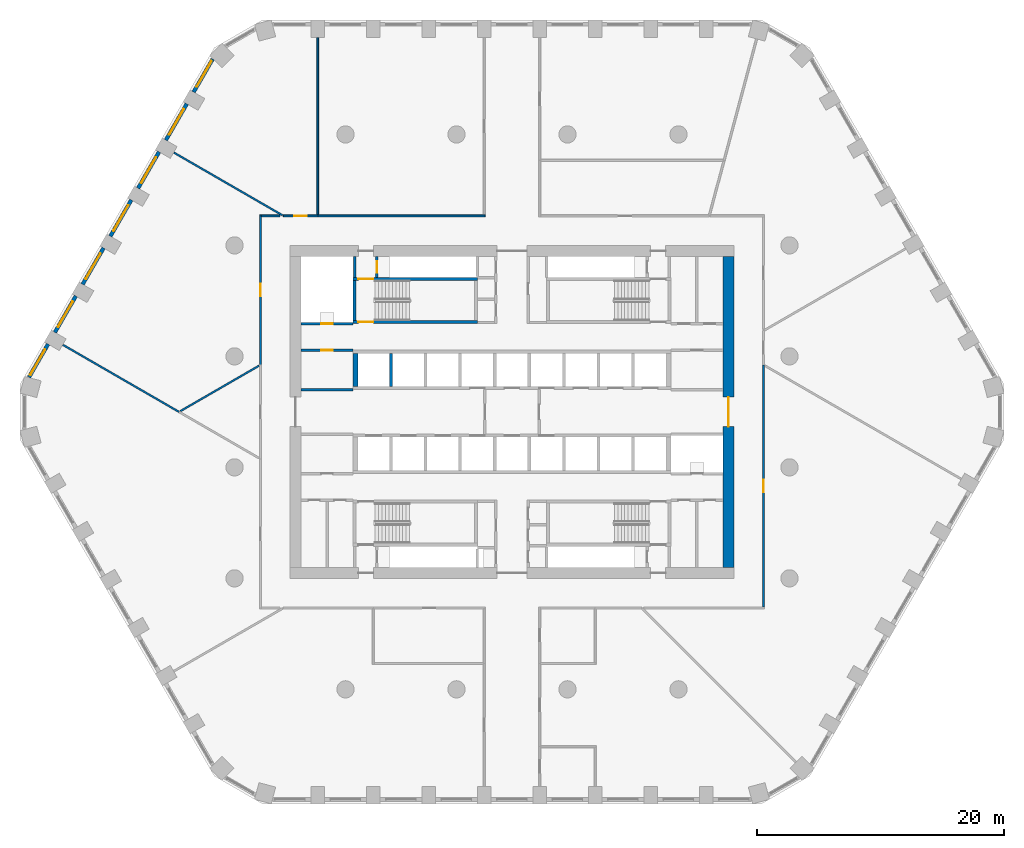
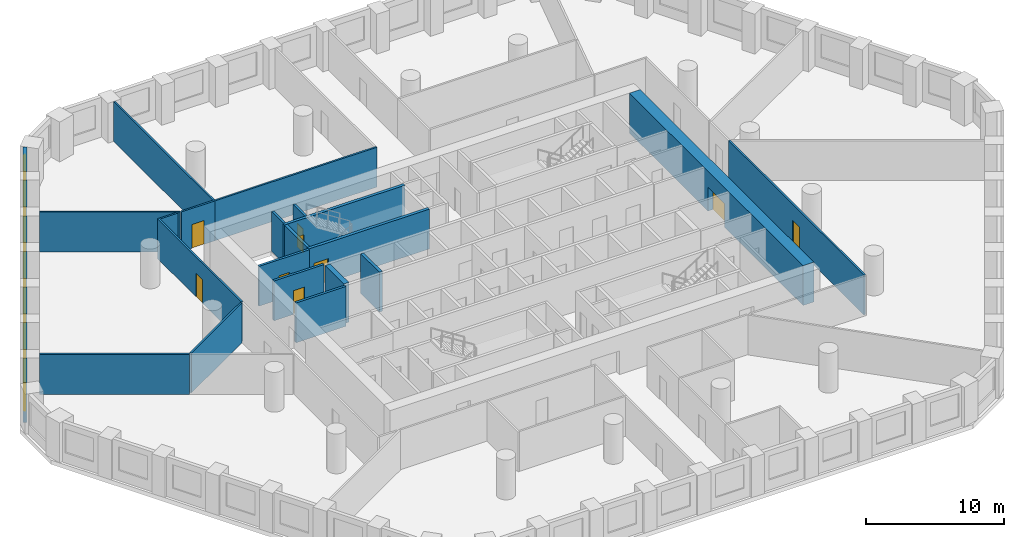
# One storey, part 5 of 10: 27 walls, 9 doors, 7 windows, 16 openings.
"""IFC4 building model written with IfcOpenShell, lengths in metres."""

from ifc_helpers import new_model, si_unit, direction, frame, frame_2d, origin, place, context, subcontext, project, spatial, polyline, rectangle, outline, extrude, material, layer, layer_set, type_object, element, fill, save


model = new_model("IFC4")

# Units and contexts
model_context = context("Model", 3, precision=1e-05, world=origin(), true_north=direction((0.0, 1.0)))
body_context = subcontext(model_context, "Body", "Model", "MODEL_VIEW")
ifc_project = project(units=[si_unit("LENGTHUNIT", "METRE"), si_unit("AREAUNIT", "SQUARE_METRE"), si_unit("VOLUMEUNIT", "CUBIC_METRE"), si_unit("PLANEANGLEUNIT", "RADIAN"), si_unit("MASSUNIT", "GRAM", prefix="KILO")], contexts=[model_context])

# Site, building, storey
site_placement = place(None, origin())
site = spatial("IfcSite", under=ifc_project, at=site_placement, CompositionType="ELEMENT")
building_placement = place(site_placement, origin())
building = spatial("IfcBuilding", under=site, at=building_placement, Name="Dhurran Vertical Campus", CompositionType="ELEMENT")
storey_placement = place(building_placement, frame((0.0, 0.0, 45.60009765625)))
storey = spatial("IfcBuildingStorey", under=building, at=storey_placement, Name="L10", CompositionType="ELEMENT", Elevation=45.60009765625)

# Wall, opening, window
ifc_material_1 = material(Name="Precast concrete C50/60", Category="concrete")
ifc_layer_1 = layer(ifc_material_1, 0.300048828125)
ifc_layer_set_1 = layer_set([ifc_layer_1], Name="Precast concrete C50/60")
wall_type_1 = type_object("IfcWallType", Name="Precast spandrel wall 300", PredefinedType="SOLIDWALL", material=ifc_layer_set_1)
wall_1_placement = place(storey_placement, frame((-24.2734375, 28.611083984375, 0.0), z_axis=(0.0, 0.0, 1.0), x_axis=(-0.499995950774, -0.866027741594, 0.0)))
wall_1 = element("IfcWall", 1, at=wall_1_placement, inside=storey, type_object=wall_type_1, Name="EW1 L10.36", PredefinedType="SOLIDWALL", context=body_context, shape_type="SweptSolid", body=[
    extrude(rectangle(XDim=3.0908203125, YDim=0.300048828125, at=frame_2d((1.54541015625, 0.0))), origin(), (0.0, 0.0, 1.0), 3.52490234375),
])
opening_1_placement = place(wall_1_placement, frame((0.191162109375, 0.0, 0.89990234375)))
opening_1 = element("IfcOpeningElement", 2, at=opening_1_placement, cuts=wall_1, Name="Opening WT1", PredefinedType="OPENING", context=body_context, shape_type="SweptSolid", body=[
    extrude(rectangle(XDim=2.39990234375, YDim=2.10009765625, at=frame_2d((1.199951171875, 1.050048828125))), frame((0.0, 0.159912109375, 0.0), z_axis=(0.0, -1.0, 0.0), x_axis=(1.0, 0.0, 0.0)), (0.0, 0.0, 1.0), 0.320068359375),
])
ifc_material_2 = material(Name="Aluminium frame with solar-control glass", Category="aluminium")
window_type = type_object("IfcWindowType", Name="Punched window 2400 x 2100", PartitioningType="SINGLE_PANEL", PredefinedType="WINDOW", material=ifc_material_2)
window_1_placement = place(opening_1_placement, origin())
window_1 = element("IfcWindow", 3, at=window_1_placement, inside=storey, type_object=window_type, Name="WT1 L10.36", OverallHeight=2.10009765625, OverallWidth=2.39990234375, PartitioningType="SINGLE_PANEL", PredefinedType="WINDOW", context=body_context, shape_type="SweptSolid", body=[
    extrude(rectangle(XDim=2.39990234375, YDim=2.10009765625, at=frame_2d((1.199951171875, 1.050048828125))), frame((0.0, 0.030029296875, 0.0), z_axis=(0.0, -1.0, 0.0), x_axis=(1.0, 0.0, 0.0)), (0.0, 0.0, 1.0), 0.06005859375),
])
fill(opening_1, window_1)

wall_2_placement = place(storey_placement, frame((-26.369384765625, 24.98095703125, 0.0), z_axis=(0.0, 0.0, 1.0), x_axis=(-0.499993955907, -0.866028893315, 0.0)))
wall_2 = element("IfcWall", 4, at=wall_2_placement, inside=storey, type_object=wall_type_1, Name="EW1 L10.37", PredefinedType="SOLIDWALL", context=body_context, shape_type="SweptSolid", body=[
    extrude(rectangle(XDim=3.39892578125, YDim=0.300048828125, at=frame_2d((1.699462890625, 0.0))), origin(), (0.0, 0.0, 1.0), 3.52490234375),
])
opening_2_placement = place(wall_2_placement, frame((0.49951171875, 0.0, 0.89990234375)))
opening_2 = element("IfcOpeningElement", 5, at=opening_2_placement, cuts=wall_2, Name="Opening WT1", PredefinedType="OPENING", context=body_context, shape_type="SweptSolid", body=[
    extrude(rectangle(XDim=2.39990234375, YDim=2.10009765625, at=frame_2d((1.199951171875, 1.050048828125))), frame((0.0, 0.159912109375, 0.0), z_axis=(0.0, -1.0, 0.0), x_axis=(1.0, 0.0, 0.0)), (0.0, 0.0, 1.0), 0.320068359375),
])
window_2_placement = place(opening_2_placement, origin())
window_2 = element("IfcWindow", 6, at=window_2_placement, inside=storey, type_object=window_type, Name="WT1 L10.37", OverallHeight=2.10009765625, OverallWidth=2.39990234375, PartitioningType="SINGLE_PANEL", PredefinedType="WINDOW", context=body_context, shape_type="SweptSolid", body=[
    extrude(rectangle(XDim=2.39990234375, YDim=2.10009765625, at=frame_2d((1.199951171875, 1.050048828125))), frame((0.0, 0.030029296875, 0.0), z_axis=(0.0, -1.0, 0.0), x_axis=(1.0, 0.0, 0.0)), (0.0, 0.0, 1.0), 0.06005859375),
])
fill(opening_2, window_2)

wall_3_placement = place(storey_placement, frame((-28.619384765625, 21.083740234375, 0.0), z_axis=(0.0, 0.0, 1.0), x_axis=(-0.499993955907, -0.866028893315, 0.0)))
wall_3 = element("IfcWall", 7, at=wall_3_placement, inside=storey, type_object=wall_type_1, Name="EW1 L10.38", PredefinedType="SOLIDWALL", context=body_context, shape_type="SweptSolid", body=[
    extrude(rectangle(XDim=3.39892578125, YDim=0.300048828125, at=frame_2d((1.699462890625, 0.0))), origin(), (0.0, 0.0, 1.0), 3.52490234375),
])
opening_3_placement = place(wall_3_placement, frame((0.49951171875, 0.0, 0.89990234375)))
opening_3 = element("IfcOpeningElement", 8, at=opening_3_placement, cuts=wall_3, Name="Opening WT1", PredefinedType="OPENING", context=body_context, shape_type="SweptSolid", body=[
    extrude(rectangle(XDim=2.39990234375, YDim=2.10009765625, at=frame_2d((1.199951171875, 1.050048828125))), frame((0.0, 0.159912109375, 0.0), z_axis=(0.0, -1.0, 0.0), x_axis=(1.0, 0.0, 0.0)), (0.0, 0.0, 1.0), 0.320068359375),
])
window_3_placement = place(opening_3_placement, origin())
window_3 = element("IfcWindow", 9, at=window_3_placement, inside=storey, type_object=window_type, Name="WT1 L10.38", OverallHeight=2.10009765625, OverallWidth=2.39990234375, PartitioningType="SINGLE_PANEL", PredefinedType="WINDOW", context=body_context, shape_type="SweptSolid", body=[
    extrude(rectangle(XDim=2.39990234375, YDim=2.10009765625, at=frame_2d((1.199951171875, 1.050048828125))), frame((0.0, 0.030029296875, 0.0), z_axis=(0.0, -1.0, 0.0), x_axis=(1.0, 0.0, 0.0)), (0.0, 0.0, 1.0), 0.06005859375),
])
fill(opening_3, window_3)

wall_4_placement = place(storey_placement, frame((-30.869384765625, 17.186767578125, 0.0), z_axis=(0.0, 0.0, 1.0), x_axis=(-0.499993955907, -0.866028893315, 0.0)))
wall_4 = element("IfcWall", 10, at=wall_4_placement, inside=storey, type_object=wall_type_1, Name="EW1 L10.39", PredefinedType="SOLIDWALL", context=body_context, shape_type="SweptSolid", body=[
    extrude(rectangle(XDim=3.39892578125, YDim=0.300048828125, at=frame_2d((1.699462890625, 0.0))), origin(), (0.0, 0.0, 1.0), 3.52490234375),
])
opening_4_placement = place(wall_4_placement, frame((0.49951171875, 0.0, 0.89990234375)))
opening_4 = element("IfcOpeningElement", 11, at=opening_4_placement, cuts=wall_4, Name="Opening WT1", PredefinedType="OPENING", context=body_context, shape_type="SweptSolid", body=[
    extrude(rectangle(XDim=2.39990234375, YDim=2.10009765625, at=frame_2d((1.199951171875, 1.050048828125))), frame((0.0, 0.159912109375, 0.0), z_axis=(0.0, -1.0, 0.0), x_axis=(1.0, 0.0, 0.0)), (0.0, 0.0, 1.0), 0.320068359375),
])
window_4_placement = place(opening_4_placement, origin())
window_4 = element("IfcWindow", 12, at=window_4_placement, inside=storey, type_object=window_type, Name="WT1 L10.39", OverallHeight=2.10009765625, OverallWidth=2.39990234375, PartitioningType="SINGLE_PANEL", PredefinedType="WINDOW", context=body_context, shape_type="SweptSolid", body=[
    extrude(rectangle(XDim=2.39990234375, YDim=2.10009765625, at=frame_2d((1.199951171875, 1.050048828125))), frame((0.0, 0.030029296875, 0.0), z_axis=(0.0, -1.0, 0.0), x_axis=(1.0, 0.0, 0.0)), (0.0, 0.0, 1.0), 0.06005859375),
])
fill(opening_4, window_4)

wall_5_placement = place(storey_placement, frame((-33.119384765625, 13.28955078125, 0.0), z_axis=(0.0, 0.0, 1.0), x_axis=(-0.499993955907, -0.866028893315, 0.0)))
wall_5 = element("IfcWall", 13, at=wall_5_placement, inside=storey, type_object=wall_type_1, Name="EW1 L10.40", PredefinedType="SOLIDWALL", context=body_context, shape_type="SweptSolid", body=[
    extrude(rectangle(XDim=3.39892578125, YDim=0.300048828125, at=frame_2d((1.699462890625, 0.0))), origin(), (0.0, 0.0, 1.0), 3.52490234375),
])
opening_5_placement = place(wall_5_placement, frame((0.49951171875, 0.0, 0.89990234375)))
opening_5 = element("IfcOpeningElement", 14, at=opening_5_placement, cuts=wall_5, Name="Opening WT1", PredefinedType="OPENING", context=body_context, shape_type="SweptSolid", body=[
    extrude(rectangle(XDim=2.39990234375, YDim=2.10009765625, at=frame_2d((1.199951171875, 1.050048828125))), frame((0.0, 0.159912109375, 0.0), z_axis=(0.0, -1.0, 0.0), x_axis=(1.0, 0.0, 0.0)), (0.0, 0.0, 1.0), 0.320068359375),
])
window_5_placement = place(opening_5_placement, origin())
window_5 = element("IfcWindow", 15, at=window_5_placement, inside=storey, type_object=window_type, Name="WT1 L10.40", OverallHeight=2.10009765625, OverallWidth=2.39990234375, PartitioningType="SINGLE_PANEL", PredefinedType="WINDOW", context=body_context, shape_type="SweptSolid", body=[
    extrude(rectangle(XDim=2.39990234375, YDim=2.10009765625, at=frame_2d((1.199951171875, 1.050048828125))), frame((0.0, 0.030029296875, 0.0), z_axis=(0.0, -1.0, 0.0), x_axis=(1.0, 0.0, 0.0)), (0.0, 0.0, 1.0), 0.06005859375),
])
fill(opening_5, window_5)

wall_6_placement = place(storey_placement, frame((-35.369384765625, 9.392578125, 0.0), z_axis=(0.0, 0.0, 1.0), x_axis=(-0.499993955907, -0.866028893315, 0.0)))
wall_6 = element("IfcWall", 16, at=wall_6_placement, inside=storey, type_object=wall_type_1, Name="EW1 L10.41", PredefinedType="SOLIDWALL", context=body_context, shape_type="SweptSolid", body=[
    extrude(rectangle(XDim=3.39892578125, YDim=0.300048828125, at=frame_2d((1.699462890625, 0.0))), origin(), (0.0, 0.0, 1.0), 3.52490234375),
])
opening_6_placement = place(wall_6_placement, frame((0.49951171875, 0.0, 0.89990234375)))
opening_6 = element("IfcOpeningElement", 17, at=opening_6_placement, cuts=wall_6, Name="Opening WT1", PredefinedType="OPENING", context=body_context, shape_type="SweptSolid", body=[
    extrude(rectangle(XDim=2.39990234375, YDim=2.10009765625, at=frame_2d((1.199951171875, 1.050048828125))), frame((0.0, 0.159912109375, 0.0), z_axis=(0.0, -1.0, 0.0), x_axis=(1.0, 0.0, 0.0)), (0.0, 0.0, 1.0), 0.320068359375),
])
window_6_placement = place(opening_6_placement, origin())
window_6 = element("IfcWindow", 18, at=window_6_placement, inside=storey, type_object=window_type, Name="WT1 L10.41", OverallHeight=2.10009765625, OverallWidth=2.39990234375, PartitioningType="SINGLE_PANEL", PredefinedType="WINDOW", context=body_context, shape_type="SweptSolid", body=[
    extrude(rectangle(XDim=2.39990234375, YDim=2.10009765625, at=frame_2d((1.199951171875, 1.050048828125))), frame((0.0, 0.030029296875, 0.0), z_axis=(0.0, -1.0, 0.0), x_axis=(1.0, 0.0, 0.0)), (0.0, 0.0, 1.0), 0.06005859375),
])
fill(opening_6, window_6)

wall_7_placement = place(storey_placement, frame((-37.619384765625, 5.495361328125, 0.0), z_axis=(0.0, 0.0, 1.0), x_axis=(-0.49997090907, -0.866042198789, 0.0)))
wall_7 = element("IfcWall", 19, at=wall_7_placement, inside=storey, type_object=wall_type_1, Name="EW1 L10.42", PredefinedType="SOLIDWALL", context=body_context, shape_type="SweptSolid", body=[
    extrude(rectangle(XDim=3.090576171875, YDim=0.300048828125, at=frame_2d((1.54541015625, 0.0))), origin(), (0.0, 0.0, 1.0), 3.52490234375),
])
opening_7_placement = place(wall_7_placement, frame((0.49951171875, 0.0, 0.89990234375)))
opening_7 = element("IfcOpeningElement", 20, at=opening_7_placement, cuts=wall_7, Name="Opening WT1", PredefinedType="OPENING", context=body_context, shape_type="SweptSolid", body=[
    extrude(rectangle(XDim=2.39990234375, YDim=2.10009765625, at=frame_2d((1.199951171875, 1.050048828125))), frame((0.0, 0.159912109375, 0.0), z_axis=(0.0, -1.0, 0.0), x_axis=(1.0, 0.0, 0.0)), (0.0, 0.0, 1.0), 0.320068359375),
])
window_7_placement = place(opening_7_placement, origin())
window_7 = element("IfcWindow", 21, at=window_7_placement, inside=storey, type_object=window_type, Name="WT1 L10.42", OverallHeight=2.10009765625, OverallWidth=2.39990234375, PartitioningType="SINGLE_PANEL", PredefinedType="WINDOW", context=body_context, shape_type="SweptSolid", body=[
    extrude(rectangle(XDim=2.39990234375, YDim=2.10009765625, at=frame_2d((1.199951171875, 1.050048828125))), frame((0.0, 0.030029296875, 0.0), z_axis=(0.0, -1.0, 0.0), x_axis=(1.0, 0.0, 0.0)), (0.0, 0.0, 1.0), 0.06005859375),
])
fill(opening_7, window_7)

# Wall, opening, door
ifc_material_3 = material(Name="Concrete C60/75", Category="concrete")
ifc_layer_2 = layer(ifc_material_3, 0.89990234375)
ifc_layer_set_2 = layer_set([ifc_layer_2], Name="Concrete C60/75")
wall_type_2 = type_object("IfcWallType", Name="co-CORE-WALL-C0-900", PredefinedType="SHEAR", material=ifc_layer_set_2)
wall_8_placement = place(storey_placement, frame((17.550048828125, -12.60009765625, 0.0), z_axis=(0.0, 0.0, 1.0), x_axis=(0.0, 1.0, 0.0)))
wall_8 = element("IfcWall", 22, at=wall_8_placement, inside=storey, type_object=wall_type_2, Name="Core wall E L10", PredefinedType="SHEAR", context=body_context, shape_type="SweptSolid", body=[
    extrude(rectangle(XDim=25.2001953125, YDim=0.89990234375, at=frame_2d((12.60009765625, 0.0))), origin(), (0.0, 0.0, 1.0), 3.52490234375),
])
opening_8_placement = place(wall_8_placement, frame((11.39990234375, 0.0, 0.0)))
opening_8 = element("IfcOpeningElement", 23, at=opening_8_placement, cuts=wall_8, Name="Opening CL2", PredefinedType="OPENING", context=body_context, shape_type="SweptSolid", body=[
    extrude(rectangle(XDim=2.39990234375, YDim=2.10009765625, at=frame_2d((1.199951171875, 1.050048828125))), frame((0.0, 0.4599609375, 0.0), z_axis=(0.0, -1.0, 0.0), x_axis=(1.0, 0.0, 0.0)), (0.0, 0.0, 1.0), 0.919921875),
])
ifc_material_4 = material(Name="Fire-rated glazed door set")
door_type_1 = type_object("IfcDoorType", Name="co-D-LOBBY 2400x2100", OperationType="DOUBLE_DOOR_DOUBLE_SWING", PredefinedType="DOOR", material=ifc_material_4)
door_1_placement = place(opening_8_placement, origin())
door_1 = element("IfcDoor", 24, at=door_1_placement, inside=storey, type_object=door_type_1, Name="Lift lobby door E L10", OperationType="DOUBLE_DOOR_DOUBLE_SWING", OverallHeight=2.10009765625, OverallWidth=2.39990234375, PredefinedType="DOOR", context=body_context, shape_type="SweptSolid", body=[
    extrude(rectangle(XDim=2.39990234375, YDim=2.10009765625, at=frame_2d((1.199951171875, 1.050048828125))), frame((0.0, 0.02490234375, 0.0), z_axis=(0.0, -1.0, 0.0), x_axis=(1.0, 0.0, 0.0)), (0.0, 0.0, 1.0), 0.050048828125),
])
fill(opening_8, door_1)

# Wall
ifc_material_5 = material(Name="Fire-rated masonry blockwork", Category="masonry")
ifc_layer_3 = layer(ifc_material_5, 0.199951171875)
ifc_layer_set_3 = layer_set([ifc_layer_3], Name="Fire-rated masonry blockwork")
wall_type_3 = type_object("IfcWallType", Name="co-FIRE-PARTITION-200", PredefinedType="PARTITIONING", material=ifc_layer_set_3)
wall_9_placement = place(storey_placement, frame((-12.75, 10.89990234375, 0.0), z_axis=(0.0, 0.0, 1.0), x_axis=(0.0, 1.0, 0.0)))
element("IfcWall", 25, at=wall_9_placement, inside=storey, type_object=wall_type_3, Name="Core partition pass-ST1-o L10", PredefinedType="PARTITIONING", context=body_context, shape_type="SweptSolid", body=[
    extrude(rectangle(XDim=1.7001953125, YDim=0.199951171875, at=frame_2d((0.85009765625, 0.0))), origin(), (0.0, 0.0, 1.0), 3.52490234375),
])

# Wall, opening, door
wall_10_placement = place(storey_placement, frame((-10.949951171875, 10.89990234375, 0.0), z_axis=(0.0, 0.0, 1.0), x_axis=(0.0, 1.0, 0.0)))
wall_10 = element("IfcWall", 26, at=wall_10_placement, inside=storey, type_object=wall_type_3, Name="Core partition pass-ST1-i L10", PredefinedType="PARTITIONING", context=body_context, shape_type="SweptSolid", body=[
    extrude(rectangle(XDim=1.7001953125, YDim=0.199951171875, at=frame_2d((0.85009765625, 0.0))), origin(), (0.0, 0.0, 1.0), 3.52490234375),
])
opening_9_placement = place(wall_10_placement, frame((0.39990234375, 0.0, 0.0)))
opening_9 = element("IfcOpeningElement", 27, at=opening_9_placement, cuts=wall_10, Name="Opening T02-C10", PredefinedType="OPENING", context=body_context, shape_type="SweptSolid", body=[
    extrude(rectangle(XDim=0.89990234375, YDim=2.10009765625, at=frame_2d((0.449951171875, 1.050048828125))), frame((0.0, 0.10986328125, 0.0), z_axis=(0.0, -1.0, 0.0), x_axis=(1.0, 0.0, 0.0)), (0.0, 0.0, 1.0), 0.219970703125),
])
ifc_material_6 = material(Name="Fire-rated timber door set", Category="wood")
door_type_2 = type_object("IfcDoorType", Name="co-D-ROOM 900x2100", OperationType="SINGLE_SWING_LEFT", PredefinedType="DOOR", material=ifc_material_6)
door_2_placement = place(opening_9_placement, origin())
door_2 = element("IfcDoor", 28, at=door_2_placement, inside=storey, type_object=door_type_2, Name="Riser room door L10", OperationType="SINGLE_SWING_LEFT", OverallHeight=2.10009765625, OverallWidth=0.89990234375, PredefinedType="DOOR", context=body_context, shape_type="SweptSolid", body=[
    extrude(rectangle(XDim=0.89990234375, YDim=2.10009765625, at=frame_2d((0.449951171875, 1.050048828125))), frame((0.0, 0.02490234375, 0.0), z_axis=(0.0, -1.0, 0.0), x_axis=(1.0, 0.0, 0.0)), (0.0, 0.0, 1.0), 0.050048828125),
])
fill(opening_9, door_2)

wall_11_placement = place(storey_placement, frame((-17.10009765625, 7.14990234375, 0.0), z_axis=(0.0, 0.0, 1.0), x_axis=(1.0, 0.0, 0.0)))
wall_11 = element("IfcWall", 29, at=wall_11_placement, inside=storey, type_object=wall_type_3, Name="Core partition en-NW-w L10", PredefinedType="PARTITIONING", context=body_context, shape_type="SweptSolid", body=[
    extrude(rectangle(XDim=4.2001953125, YDim=0.199951171875, at=frame_2d((2.10009765625, 0.0))), origin(), (0.0, 0.0, 1.0), 3.52490234375),
])
opening_10_placement = place(wall_11_placement, frame((1.64990234375, 0.0, 0.0)))
opening_10 = element("IfcOpeningElement", 30, at=opening_10_placement, cuts=wall_11, Name="Opening T02-C14", PredefinedType="OPENING", context=body_context, shape_type="SweptSolid", body=[
    extrude(rectangle(XDim=0.89990234375, YDim=2.10009765625, at=frame_2d((0.449951171875, 1.050048828125))), frame((0.0, 0.10986328125, 0.0), z_axis=(0.0, -1.0, 0.0), x_axis=(1.0, 0.0, 0.0)), (0.0, 0.0, 1.0), 0.219970703125),
])
door_3_placement = place(opening_10_placement, origin())
door_3 = element("IfcDoor", 31, at=door_3_placement, inside=storey, type_object=door_type_2, Name="Water riser door L10", OperationType="SINGLE_SWING_LEFT", OverallHeight=2.10009765625, OverallWidth=0.89990234375, PredefinedType="DOOR", context=body_context, shape_type="SweptSolid", body=[
    extrude(rectangle(XDim=0.89990234375, YDim=2.10009765625, at=frame_2d((0.449951171875, 1.050048828125))), frame((0.0, 0.02490234375, 0.0), z_axis=(0.0, -1.0, 0.0), x_axis=(1.0, 0.0, 0.0)), (0.0, 0.0, 1.0), 0.050048828125),
])
fill(opening_10, door_3)

wall_12_placement = place(storey_placement, frame((-17.10009765625, 5.0, 0.0), z_axis=(0.0, 0.0, 1.0), x_axis=(1.0, 0.0, 0.0)))
wall_12 = element("IfcWall", 32, at=wall_12_placement, inside=storey, type_object=wall_type_3, Name="Core partition es-NW-w L10", PredefinedType="PARTITIONING", context=body_context, shape_type="SweptSolid", body=[
    extrude(rectangle(XDim=4.2001953125, YDim=0.199951171875, at=frame_2d((2.10009765625, 0.0))), origin(), (0.0, 0.0, 1.0), 3.52490234375),
])
opening_11_placement = place(wall_12_placement, frame((1.64990234375, 0.0, 0.0)))
opening_11 = element("IfcOpeningElement", 33, at=opening_11_placement, cuts=wall_12, Name="Opening T02-C15", PredefinedType="OPENING", context=body_context, shape_type="SweptSolid", body=[
    extrude(rectangle(XDim=0.89990234375, YDim=2.10009765625, at=frame_2d((0.449951171875, 1.050048828125))), frame((0.0, 0.10986328125, 0.0), z_axis=(0.0, -1.0, 0.0), x_axis=(1.0, 0.0, 0.0)), (0.0, 0.0, 1.0), 0.219970703125),
])
door_4_placement = place(opening_11_placement, origin())
door_4 = element("IfcDoor", 34, at=door_4_placement, inside=storey, type_object=door_type_2, Name="Server room door L10", OperationType="SINGLE_SWING_LEFT", OverallHeight=2.10009765625, OverallWidth=0.89990234375, PredefinedType="DOOR", context=body_context, shape_type="SweptSolid", body=[
    extrude(rectangle(XDim=0.89990234375, YDim=2.10009765625, at=frame_2d((0.449951171875, 1.050048828125))), frame((0.0, 0.02490234375, 0.0), z_axis=(0.0, -1.0, 0.0), x_axis=(1.0, 0.0, 0.0)), (0.0, 0.0, 1.0), 0.050048828125),
])
fill(opening_11, door_4)

# Walls
wall_13_placement = place(storey_placement, frame((-17.10009765625, 1.800048828125, 0.0), z_axis=(0.0, 0.0, 1.0), x_axis=(1.0, 0.0, 0.0)))
element("IfcWall", 35, at=wall_13_placement, inside=storey, type_object=wall_type_3, Name="Core partition es-NW-l L10", PredefinedType="PARTITIONING", context=body_context, shape_type="SweptSolid", body=[
    extrude(rectangle(XDim=4.2001953125, YDim=0.199951171875, at=frame_2d((2.10009765625, 0.0))), origin(), (0.0, 0.0, 1.0), 3.52490234375),
])
ifc_material_7 = material(Name="Concrete C50/60", Category="concrete")
ifc_layer_4 = layer(ifc_material_7, 0.25)
ifc_layer_set_4 = layer_set([ifc_layer_4], Name="Concrete C50/60")
wall_type_4 = type_object("IfcWallType", Name="co-SHAFT-MASS-250", PredefinedType="SHEAR", material=ifc_layer_set_4)
wall_14_placement = place(storey_placement, origin())
element("IfcWall", 36, at=wall_14_placement, inside=storey, type_object=wall_type_4, Name="Lift shaft wall N L10 2", PredefinedType="SHEAR", context=body_context, shape_type="SweptSolid", body=[
    extrude(outline(polyline([(-12.89990234375, 2.050048828125), (-12.47509765625, 2.050048828125), (-12.47509765625, 4.75), (-12.89990234375, 4.75), (-12.89990234375, 2.050048828125)])), origin(), (0.0, 0.0, 1.0), 3.52490234375),
])
wall_15_placement = place(storey_placement, origin())
element("IfcWall", 37, at=wall_15_placement, inside=storey, type_object=wall_type_4, Name="Lift shaft wall N L10 3", PredefinedType="SHEAR", context=body_context, shape_type="SweptSolid", body=[
    extrude(outline(polyline([(-9.925048828125, 2.050048828125), (-9.675048828125, 2.050048828125), (-9.675048828125, 4.75), (-9.925048828125, 4.75), (-9.925048828125, 2.050048828125)])), origin(), (0.0, 0.0, 1.0), 3.52490234375),
])

# Wall, opening, door
ifc_material_8 = material(Name="Concrete C40/50", Category="concrete")
ifc_layer_5 = layer(ifc_material_8, 0.25)
ifc_layer_set_5 = layer_set([ifc_layer_5], Name="Concrete C40/50")
wall_type_5 = type_object("IfcWallType", Name="co-STAIR-WALL-250", PredefinedType="SHEAR", material=ifc_layer_set_5)
wall_16_placement = place(storey_placement, frame((-12.89990234375, 7.27490234375, 0.0), z_axis=(0.0, 0.0, 1.0), x_axis=(1.0, 0.0, 0.0)))
wall_16 = element("IfcWall", 38, at=wall_16_placement, inside=storey, type_object=wall_type_5, Name="Stair ST1 enclosure wall L10", PredefinedType="SHEAR", context=body_context, shape_type="SweptSolid", body=[
    extrude(rectangle(XDim=10.099853515625, YDim=0.25, at=frame_2d((5.0498046875, 0.0))), origin(), (0.0, 0.0, 1.0), 3.52490234375),
])
opening_12_placement = place(wall_16_placement, frame((0.449951171875, 0.0, 0.0)))
opening_12 = element("IfcOpeningElement", 39, at=opening_12_placement, cuts=wall_16, Name="Opening SD1", PredefinedType="OPENING", context=body_context, shape_type="SweptSolid", body=[
    extrude(rectangle(XDim=1.199951171875, YDim=2.10009765625, at=frame_2d((0.60009765625, 1.050048828125))), frame((0.0, 0.135009765625, 0.0), z_axis=(0.0, -1.0, 0.0), x_axis=(1.0, 0.0, 0.0)), (0.0, 0.0, 1.0), 0.27001953125),
])
ifc_material_9 = material(Name="Fire-rated steel door set", Category="steel")
door_type_3 = type_object("IfcDoorType", Name="co-D-STAIR 1200x2100", OperationType="SINGLE_SWING_LEFT", PredefinedType="DOOR", material=ifc_material_9)
door_5_placement = place(opening_12_placement, origin())
door_5 = element("IfcDoor", 40, at=door_5_placement, inside=storey, type_object=door_type_3, Name="Stair ST1 door L10", OperationType="SINGLE_SWING_LEFT", OverallHeight=2.10009765625, OverallWidth=1.199951171875, PredefinedType="DOOR", context=body_context, shape_type="SweptSolid", body=[
    extrude(rectangle(XDim=1.199951171875, YDim=2.10009765625, at=frame_2d((0.60009765625, 1.050048828125))), frame((0.0, 0.02490234375, 0.0), z_axis=(0.0, -1.0, 0.0), x_axis=(1.0, 0.0, 0.0)), (0.0, 0.0, 1.0), 0.050048828125),
])
fill(opening_12, door_5)

wall_17_placement = place(storey_placement, frame((-12.89990234375, 10.77490234375, 0.0), z_axis=(0.0, 0.0, 1.0), x_axis=(1.0, 0.0, 0.0)))
wall_17 = element("IfcWall", 41, at=wall_17_placement, inside=storey, type_object=wall_type_5, Name="Stair ST1 enclosure wall L10", PredefinedType="SHEAR", context=body_context, shape_type="SweptSolid", body=[
    extrude(rectangle(XDim=10.099853515625, YDim=0.25, at=frame_2d((5.0498046875, 0.0))), origin(), (0.0, 0.0, 1.0), 3.52490234375),
])
opening_13_placement = place(wall_17_placement, frame((0.449951171875, 0.0, 0.0)))
opening_13 = element("IfcOpeningElement", 42, at=opening_13_placement, cuts=wall_17, Name="Opening XS1", PredefinedType="OPENING", context=body_context, shape_type="SweptSolid", body=[
    extrude(rectangle(XDim=1.199951171875, YDim=2.10009765625, at=frame_2d((0.60009765625, 1.050048828125))), frame((0.0, 0.135009765625, 0.0), z_axis=(0.0, -1.0, 0.0), x_axis=(1.0, 0.0, 0.0)), (0.0, 0.0, 1.0), 0.27001953125),
])
ifc_material_10 = material(Name="Fire-rated steel door set", Category="steel")
door_type_4 = type_object("IfcDoorType", Name="co-D-STAIR-EXIT 1200x2100", OperationType="SINGLE_SWING_RIGHT", PredefinedType="DOOR", material=ifc_material_10)
door_6_placement = place(opening_13_placement, origin())
door_6 = element("IfcDoor", 43, at=door_6_placement, inside=storey, type_object=door_type_4, Name="Stair ST1 discharge door L10", OperationType="SINGLE_SWING_RIGHT", OverallHeight=2.10009765625, OverallWidth=1.199951171875, PredefinedType="DOOR", context=body_context, shape_type="SweptSolid", body=[
    extrude(rectangle(XDim=1.199951171875, YDim=2.10009765625, at=frame_2d((0.60009765625, 1.050048828125))), frame((0.0, 0.02490234375, 0.0), z_axis=(0.0, -1.0, 0.0), x_axis=(1.0, 0.0, 0.0)), (0.0, 0.0, 1.0), 0.050048828125),
])
fill(opening_13, door_6)

# Wall
wall_18_placement = place(storey_placement, frame((-12.77490234375, 7.39990234375, 0.0), z_axis=(0.0, 0.0, 1.0), x_axis=(0.0, 1.0, 0.0)))
element("IfcWall", 44, at=wall_18_placement, inside=storey, type_object=wall_type_5, Name="Stair ST1 enclosure wall L10", PredefinedType="SHEAR", context=body_context, shape_type="SweptSolid", body=[
    extrude(rectangle(XDim=3.25, YDim=0.25, at=frame_2d((1.625, 0.0))), origin(), (0.0, 0.0, 1.0), 3.52490234375),
])

# Wall, opening, door
ifc_material_11 = material(Name="Gypsum board corridor wall on steel studs", Category="steel")
ifc_layer_6 = layer(ifc_material_11, 0.14990234375)
ifc_layer_set_6 = layer_set([ifc_layer_6], Name="Gypsum board corridor wall on steel studs")
wall_type_6 = type_object("IfcWallType", Name="fl-CW-150 corridor wall", PredefinedType="PARTITIONING", material=ifc_layer_set_6)
wall_19_placement = place(storey_placement, frame((-20.39990234375, 15.97509765625, 0.0), z_axis=(0.0, 0.0, 1.0), x_axis=(0.0, -1.0, 0.0)))
wall_19 = element("IfcWall", 45, at=wall_19_placement, inside=storey, type_object=wall_type_6, Name="Partition 10-09", PredefinedType="PARTITIONING", context=body_context, shape_type="SweptSolid", body=[
    extrude(rectangle(XDim=12.1640625, YDim=0.14990234375, at=frame_2d((6.08203125, 0.0))), origin(), (0.0, 0.0, 1.0), 3.52490234375),
])
opening_14_placement = place(wall_19_placement, frame((5.58203125, 0.0, 0.0)))
opening_14 = element("IfcOpeningElement", 46, at=opening_14_placement, cuts=wall_19, Name="Opening T02.02", PredefinedType="OPENING", context=body_context, shape_type="SweptSolid", body=[
    extrude(rectangle(XDim=1.0, YDim=2.10009765625, at=frame_2d((0.5, 1.050048828125))), frame((0.0, 0.0849609375, 0.0), z_axis=(0.0, -1.0, 0.0), x_axis=(1.0, 0.0, 0.0)), (0.0, 0.0, 1.0), 0.169921875),
])
ifc_material_12 = material(Name="Solid-core timber door set, fire-rated", Category="wood")
door_type_5 = type_object("IfcDoorType", Name="fl-D-1000x2100", OperationType="SINGLE_SWING_LEFT", PredefinedType="DOOR", material=ifc_material_12)
door_7_placement = place(opening_14_placement, origin())
door_7 = element("IfcDoor", 47, at=door_7_placement, inside=storey, type_object=door_type_5, Name="Door 10.02", OperationType="SINGLE_SWING_LEFT", OverallHeight=2.10009765625, OverallWidth=1.0, PredefinedType="DOOR", context=body_context, shape_type="SweptSolid", body=[
    extrude(rectangle(XDim=1.0, YDim=2.10009765625, at=frame_2d((0.5, 1.050048828125))), frame((0.0, 0.02490234375, 0.0), z_axis=(0.0, -1.0, 0.0), x_axis=(1.0, 0.0, 0.0)), (0.0, 0.0, 1.0), 0.050048828125),
])
fill(opening_14, door_7)

# Wall
wall_20_placement = place(storey_placement, frame((-18.81494140625, 15.89990234375, 0.0), z_axis=(0.0, 0.0, 1.0), x_axis=(-1.0, 0.0, 0.0)))
element("IfcWall", 48, at=wall_20_placement, inside=storey, type_object=wall_type_6, Name="Partition 10-10", PredefinedType="PARTITIONING", context=body_context, shape_type="SweptSolid", body=[
    extrude(rectangle(XDim=1.510009765625, YDim=0.14990234375, at=frame_2d((0.7548828125, 0.0))), origin(), (0.0, 0.0, 1.0), 3.52490234375),
])

# Wall, opening, door
wall_21_placement = place(storey_placement, frame((-15.75, 15.89990234375, 0.0), z_axis=(0.0, 0.0, 1.0), x_axis=(-1.0, 0.0, 0.0)))
wall_21 = element("IfcWall", 49, at=wall_21_placement, inside=storey, type_object=wall_type_6, Name="Partition 10-12", PredefinedType="PARTITIONING", context=body_context, shape_type="SweptSolid", body=[
    extrude(rectangle(XDim=2.7900390625, YDim=0.14990234375, at=frame_2d((1.39501953125, 0.0))), origin(), (0.0, 0.0, 1.0), 3.52490234375),
])
opening_15_placement = place(wall_21_placement, frame((0.89501953125, 0.0, 0.0)))
opening_15 = element("IfcOpeningElement", 50, at=opening_15_placement, cuts=wall_21, Name="Opening T02.04", PredefinedType="OPENING", context=body_context, shape_type="SweptSolid", body=[
    extrude(rectangle(XDim=1.0, YDim=2.10009765625, at=frame_2d((0.5, 1.050048828125))), frame((0.0, 0.0849609375, 0.0), z_axis=(0.0, -1.0, 0.0), x_axis=(1.0, 0.0, 0.0)), (0.0, 0.0, 1.0), 0.169921875),
])
door_8_placement = place(opening_15_placement, origin())
door_8 = element("IfcDoor", 51, at=door_8_placement, inside=storey, type_object=door_type_5, Name="Door 10.04", OperationType="SINGLE_SWING_LEFT", OverallHeight=2.10009765625, OverallWidth=1.0, PredefinedType="DOOR", context=body_context, shape_type="SweptSolid", body=[
    extrude(rectangle(XDim=1.0, YDim=2.10009765625, at=frame_2d((0.5, 1.050048828125))), frame((0.0, 0.02490234375, 0.0), z_axis=(0.0, -1.0, 0.0), x_axis=(1.0, 0.0, 0.0)), (0.0, 0.0, 1.0), 0.050048828125),
])
fill(opening_15, door_8)

# Wall
wall_22_placement = place(storey_placement, frame((-2.175048828125, 15.89990234375, 0.0), z_axis=(0.0, 0.0, 1.0), x_axis=(-1.0, 0.0, 0.0)))
element("IfcWall", 52, at=wall_22_placement, inside=storey, type_object=wall_type_6, Name="Partition 10-14", PredefinedType="PARTITIONING", context=body_context, shape_type="SweptSolid", body=[
    extrude(rectangle(XDim=13.574951171875, YDim=0.14990234375, at=frame_2d((6.78759765625, 0.0))), origin(), (0.0, 0.0, 1.0), 3.52490234375),
])

# Wall, opening, door
wall_23_placement = place(storey_placement, frame((20.39990234375, -15.824951171875, 0.0), z_axis=(0.0, 0.0, 1.0), x_axis=(0.0, 1.0, 0.0)))
wall_23 = element("IfcWall", 53, at=wall_23_placement, inside=storey, type_object=wall_type_6, Name="Partition 10-39", PredefinedType="PARTITIONING", context=body_context, shape_type="SweptSolid", body=[
    extrude(rectangle(XDim=19.635986328125, YDim=0.14990234375, at=frame_2d((9.81787109375, 0.0))), origin(), (0.0, 0.0, 1.0), 3.52490234375),
])
opening_16_placement = place(wall_23_placement, frame((9.318115234375, 0.0, 0.0)))
opening_16 = element("IfcOpeningElement", 54, at=opening_16_placement, cuts=wall_23, Name="Opening T02.14", PredefinedType="OPENING", context=body_context, shape_type="SweptSolid", body=[
    extrude(rectangle(XDim=1.0, YDim=2.10009765625, at=frame_2d((0.5, 1.050048828125))), frame((0.0, 0.0849609375, 0.0), z_axis=(0.0, -1.0, 0.0), x_axis=(1.0, 0.0, 0.0)), (0.0, 0.0, 1.0), 0.169921875),
])
door_9_placement = place(opening_16_placement, origin())
door_9 = element("IfcDoor", 55, at=door_9_placement, inside=storey, type_object=door_type_5, Name="Door 10.14", OperationType="SINGLE_SWING_LEFT", OverallHeight=2.10009765625, OverallWidth=1.0, PredefinedType="DOOR", context=body_context, shape_type="SweptSolid", body=[
    extrude(rectangle(XDim=1.0, YDim=2.10009765625, at=frame_2d((0.5, 1.050048828125))), frame((0.0, 0.02490234375, 0.0), z_axis=(0.0, -1.0, 0.0), x_axis=(1.0, 0.0, 0.0)), (0.0, 0.0, 1.0), 0.050048828125),
])
fill(opening_16, door_9)

# Walls
ifc_material_13 = material(Name="Gypsum board partition on steel studs", Category="steel")
ifc_layer_7 = layer(ifc_material_13, 0.14990234375)
ifc_layer_set_7 = layer_set([ifc_layer_7], Name="Gypsum board partition on steel studs")
wall_type_7 = type_object("IfcWallType", Name="fl-PW-150 fixed partition", PredefinedType="PARTITIONING", material=ifc_layer_set_7)
wall_24_placement = place(storey_placement, frame((-36.417236328125, 5.437255859375, 0.0), z_axis=(0.0, 0.0, 1.0), x_axis=(0.866016964551, -0.500014616896, 0.0)))
element("IfcWall", 56, at=wall_24_placement, inside=storey, type_object=wall_type_7, Name="Partition 10-01", PredefinedType="PARTITIONING", context=body_context, shape_type="SweptSolid", body=[
    extrude(rectangle(XDim=10.874267578125, YDim=0.14990234375, at=frame_2d((5.43701171875, 0.0))), origin(), (0.0, 0.0, 1.0), 3.52490234375),
])
wall_25_placement = place(storey_placement, frame((-27.4169921875, 21.02587890625, 0.0), z_axis=(0.0, 0.0, 1.0), x_axis=(0.86599299422, -0.500056130812, 0.0)))
element("IfcWall", 57, at=wall_25_placement, inside=storey, type_object=wall_type_7, Name="Partition 10-03", PredefinedType="PARTITIONING", context=body_context, shape_type="SweptSolid", body=[
    extrude(rectangle(XDim=10.175537109375, YDim=0.14990234375, at=frame_2d((5.087890625, 0.0))), origin(), (0.0, 0.0, 1.0), 3.52490234375),
])
wall_26_placement = place(storey_placement, frame((-20.512451171875, 3.74609375, 0.0), z_axis=(0.0, 0.0, 1.0), x_axis=(-0.865993380977, -0.500055461028, 0.0)))
element("IfcWall", 58, at=wall_26_placement, inside=storey, type_object=wall_type_7, Name="Partition 10-05", PredefinedType="PARTITIONING", context=body_context, shape_type="SweptSolid", body=[
    extrude(rectangle(XDim=7.361572265625, YDim=0.14990234375, at=frame_2d((3.6806640625, 0.0))), origin(), (0.0, 0.0, 1.0), 3.52490234375),
])
wall_27_placement = place(storey_placement, frame((-15.75, 30.35986328125, 0.0), z_axis=(0.0, 0.0, 1.0), x_axis=(0.0, -1.0, 0.0)))
element("IfcWall", 59, at=wall_27_placement, inside=storey, type_object=wall_type_7, Name="Partition 10-13", PredefinedType="PARTITIONING", context=body_context, shape_type="SweptSolid", body=[
    extrude(rectangle(XDim=14.384765625, YDim=0.14990234375, at=frame_2d((7.1923828125, 0.0))), origin(), (0.0, 0.0, 1.0), 3.52490234375),
])

save(model, "model.ifc")
